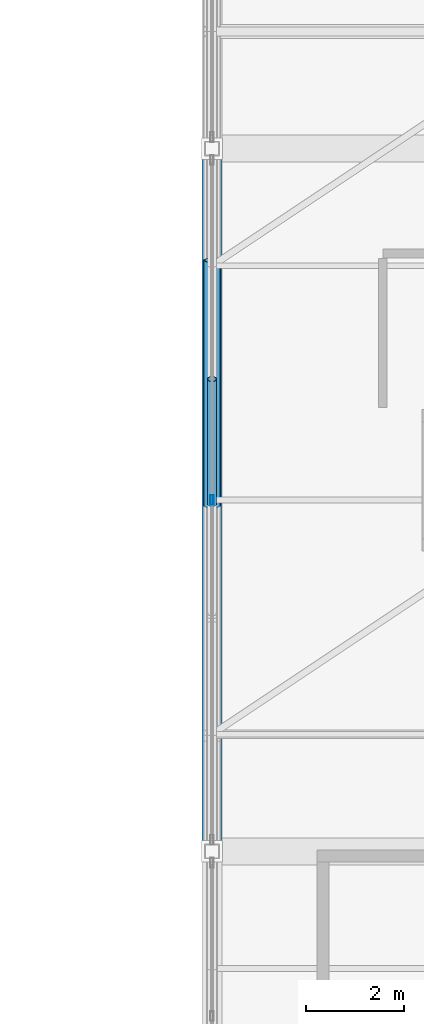
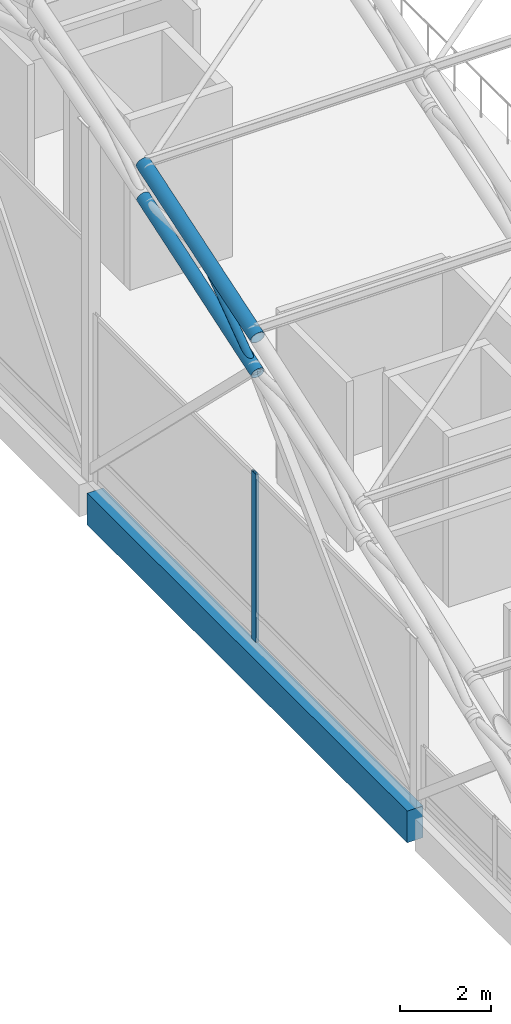
# One storey, part 29 of 116: 4 members, 1 beam, 1 element without a shape of its own.
"""IFC4 building model written with IfcOpenShell, lengths in metres."""

from ifc_helpers import new_model, si_unit, direction, frame, origin, origin_2d, place, context, subcontext, project, spatial, rectangle, hollow_rectangle, hollow_circle, extrude, material, material_profile, profile_set, type_object, element, aggregate, save


model = new_model("IFC4")

# Units and contexts
model_context = context("Model", 3, precision=1e-05, world=origin(), true_north=direction((0.0, 1.0)))
body_context = subcontext(model_context, "Body", "Model", "MODEL_VIEW")
ifc_project = project(units=[si_unit("LENGTHUNIT", "METRE"), si_unit("AREAUNIT", "SQUARE_METRE"), si_unit("VOLUMEUNIT", "CUBIC_METRE"), si_unit("PLANEANGLEUNIT", "RADIAN"), si_unit("MASSUNIT", "GRAM", prefix="KILO")], contexts=[model_context])

# Site, building, storey
site_placement = place(None, origin())
site = spatial("IfcSite", under=ifc_project, at=site_placement, CompositionType="ELEMENT")
building_placement = place(site_placement, origin())
building = spatial("IfcBuilding", under=site, at=building_placement, Name="Cendralis Lancet Convention Centre", CompositionType="ELEMENT")
storey_placement = place(building_placement, frame((0.0, 0.0, 15.0)))
storey = spatial("IfcBuildingStorey", under=building, at=storey_placement, Name="L03", CompositionType="ELEMENT", Elevation=15.0)

# Curtain wall, member
ifc_material_1 = material(Name="Anodised bronze architectural aluminium", Category="aluminium")
curtain_wall_type = type_object("IfcCurtainWallType", Name="ARC-CW-PL02", PredefinedType="USERDEFINED", material=ifc_material_1)
curtain_wall_placement = place(storey_placement, origin())
curtain_wall = element("IfcCurtainWall", 1, at=curtain_wall_placement, inside=storey, type_object=curtain_wall_type, Name="L03 Curtain Wall CW-PL2 #137", ObjectType="CURTAIN WALL", PredefinedType="USERDEFINED")
ifc_material_profile_1 = material_profile(ifc_material_1, hollow_rectangle(XDim=0.070068359375, YDim=0.199951171875, WallThickness=0.0048828125, at=origin_2d()), Name="AL-MULL 70x200x5.0")
ifc_profile_set_1 = profile_set([ifc_material_profile_1], Name="Anodised bronze architectural aluminium")
member_type_1 = type_object("IfcMemberType", Name="ARC-CW-ML02", PredefinedType="MULLION", material=ifc_profile_set_1)
member_1_placement = place(storey_placement, frame((139.199951171875, 57.60009765625, 0.0), z_axis=(0.0, 0.0, 1.0), x_axis=(1.0, 0.0, 0.0)))
member_1 = element("IfcMember", 2, at=member_1_placement, type_object=member_type_1, Name="Mullion CW2-CW-PL2-L03-137-M1", PredefinedType="MULLION", context=body_context, shape_type="SweptSolid", body=[
    extrude(hollow_rectangle(XDim=0.070068359375, YDim=0.199951171875, WallThickness=0.0048828125, at=origin_2d()), origin(), (0.0, 0.0, 1.0), 4.4970703125),
])
aggregate(curtain_wall, [member_1])

# Beam
ifc_material_2 = material(Name="Concrete G40 (C40/50)", Category="concrete")
ifc_material_profile_2 = material_profile(ifc_material_2, rectangle(XDim=0.39990234375, YDim=0.85009765625, at=origin_2d()), Name="RCB 400x850")
ifc_profile_set_2 = profile_set([ifc_material_profile_2], Name="Concrete G40 (C40/50)")
beam_type = type_object("IfcBeamType", Name="STR-SP-SP02", PredefinedType="SPANDREL", material=ifc_profile_set_2)
beam_placement = place(storey_placement, frame((139.199951171875, 50.574951171875, -0.68505859375), z_axis=(0.0, 1.0, 0.0), x_axis=(-1.0, 0.0, 0.0)))
element("IfcBeam", 3, at=beam_placement, inside=storey, type_object=beam_type, Name="L03 Beam SP02 #1533", PredefinedType="SPANDREL", context=body_context, shape_type="SweptSolid", body=[
    extrude(rectangle(XDim=0.39990234375, YDim=0.85009765625, at=origin_2d()), origin(), (0.0, 0.0, 1.0), 14.050048828125),
])

# Members
ifc_material_3 = material(Name="Steel S355", Category="steel")
ifc_material_profile_3 = material_profile(ifc_material_3, hollow_circle(Radius=0.161865234375, WallThickness=0.01416015625, at=origin_2d()), Name="CHS 323.9x14.2")
ifc_profile_set_3 = profile_set([ifc_material_profile_3], Name="Steel S355")
member_type_2 = type_object("IfcMemberType", Name="STR-TR-BC02", PredefinedType="CHORD", material=ifc_profile_set_3)
member_2_placement = place(storey_placement, frame((139.199951171875, 57.486083984375, 7.215576171875), z_axis=(0.0, 0.948830629051, 0.315785429325), x_axis=(-1.0, 0.0, 0.0)))
element("IfcMember", 4, at=member_2_placement, inside=storey, type_object=member_type_2, Name="ROOF TRUSS AT-V2-01 Bottom Chord 03", PredefinedType="CHORD", context=body_context, shape_type="SweptSolid", body=[
    extrude(hollow_circle(Radius=0.161865234375, WallThickness=0.01416015625, at=origin_2d()), origin(), (0.0, 0.0, 1.0), 5.299072265625),
])
ifc_material_profile_4 = material_profile(ifc_material_3, hollow_circle(Radius=0.177734375, WallThickness=0.01611328125, at=origin_2d()), Name="CHS 355.6x16.0")
ifc_profile_set_4 = profile_set([ifc_material_profile_4], Name="Steel S355")
member_type_3 = type_object("IfcMemberType", Name="STR-TR-TC02", PredefinedType="CHORD", material=ifc_profile_set_4)
member_3_placement = place(storey_placement, frame((139.199951171875, 57.48583984375, 8.16552734375), z_axis=(0.0, 0.950812630265, 0.309766592983), x_axis=(-1.0, 0.0, 0.0)))
element("IfcMember", 5, at=member_3_placement, inside=storey, type_object=member_type_3, Name="ROOF TRUSS AT-V2-01 Top Chord 03", PredefinedType="CHORD", context=body_context, shape_type="SweptSolid", body=[
    extrude(hollow_circle(Radius=0.177734375, WallThickness=0.01611328125, at=origin_2d()), origin(), (0.0, 0.0, 1.0), 5.288330078125),
])
ifc_material_profile_5 = material_profile(ifc_material_3, hollow_circle(Radius=0.096923828125, WallThickness=0.008056640625, at=origin_2d()), Name="CHS 193.7x8.0")
ifc_profile_set_5 = profile_set([ifc_material_profile_5], Name="Steel S355")
member_type_4 = type_object("IfcMemberType", Name="STR-TR-WD02", PredefinedType="BRACE", material=ifc_profile_set_5)
member_4_placement = place(storey_placement, frame((139.199951171875, 57.518798828125, 7.195068359375), z_axis=(0.0, 0.811035686786, 0.584996679273), x_axis=(-1.0, 0.0, 0.0)))
element("IfcMember", 6, at=member_4_placement, inside=storey, type_object=member_type_4, Name="ROOF TRUSS AT-V2-01 Warren Web 03-0", PredefinedType="BRACE", context=body_context, shape_type="SweptSolid", body=[
    extrude(hollow_circle(Radius=0.096923828125, WallThickness=0.008056640625, at=origin_2d()), origin(), (0.0, 0.0, 1.0), 3.1591796875),
])

save(model, "model.ifc")
